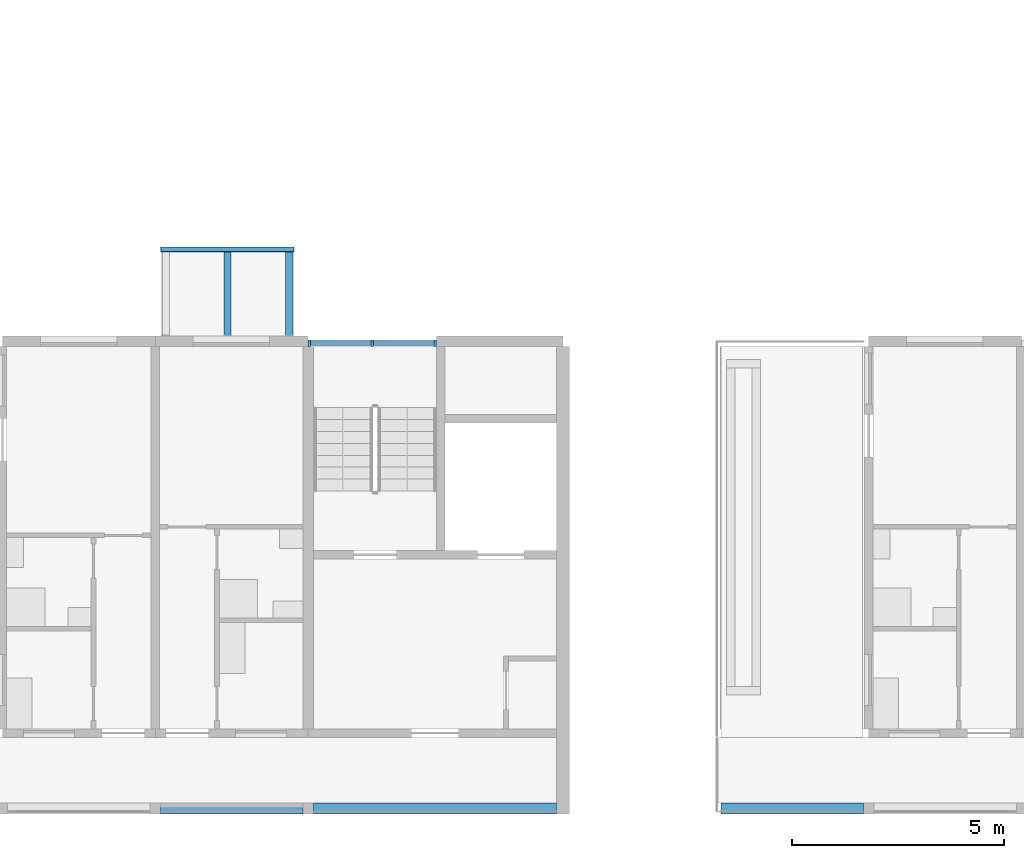
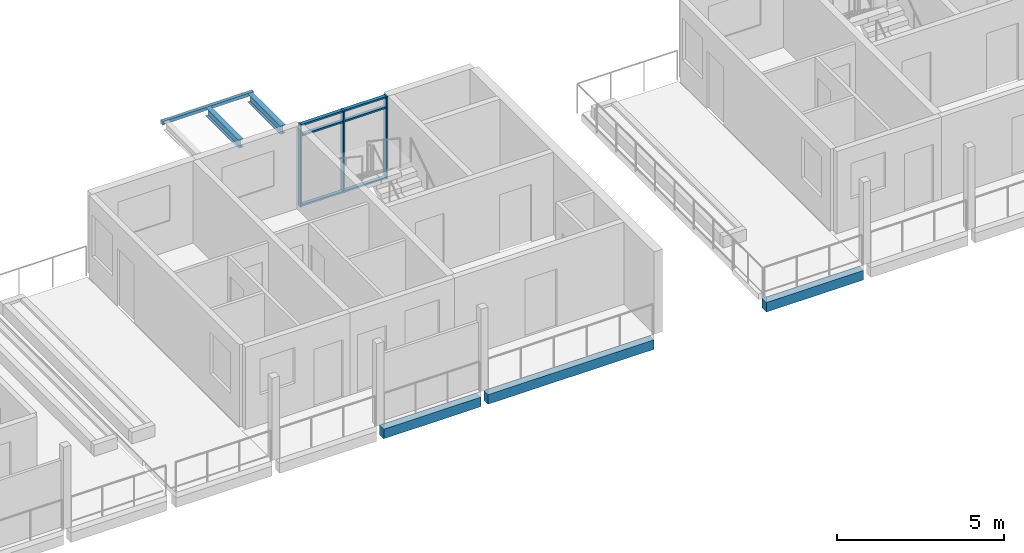
# One storey, part 12 of 55: 9 members, 6 beams, 1 element without a shape of its own.
"""IFC4 building model written with IfcOpenShell, lengths in metres."""

import ifcopenshell
import ifcopenshell.guid

model = None  # the IFC model being written
_history = None  # IfcOwnerHistory: only IFC2X3 demands one
_inside = {}  # id of a spatial element -> (the spatial element, [elements in it])
_under = {}  # id of a project, library or spatial element -> (it, [spatial elements below it])
_declared = {}  # id of a project -> (the project, [libraries it declares])
_typed = {}  # id of a type object -> (the type object, [elements of that type])
_made_of = {}  # id of a material, layer set ... -> (it, [elements and type objects made of it])


def new_model(schema):
    """Start an empty IFC model of exactly this schema.

    Asked for "IFC4X3", IfcOpenShell would pick the latest addendum, in which some entities
    have other attributes; the version numbers below select the first issue.
    IFC2X3 requires an IfcOwnerHistory on every rooted entity: one is made here for all.
    """
    global model, _history
    if schema == "IFC4X3":
        model = ifcopenshell.file(schema_version=(4, 3, 0, 0))
    else:
        model = ifcopenshell.file(schema=schema)
    _inside.clear()
    _under.clear()
    _declared.clear()
    _typed.clear()
    _made_of.clear()
    _history = None
    if model.schema == "IFC2X3":
        org = make("IfcOrganization", Name="unknown")
        user = make(
            "IfcPersonAndOrganization",
            ThePerson=make("IfcPerson", FamilyName="unknown"),
            TheOrganization=org,
        )
        app = make(
            "IfcApplication",
            ApplicationDeveloper=org,
            Version="unknown",
            ApplicationFullName="unknown",
            ApplicationIdentifier="unknown",
        )
        _history = make(
            "IfcOwnerHistory",
            OwningUser=user,
            OwningApplication=app,
            ChangeAction="ADDED",
            CreationDate=0,
        )
    return model


def make(cls, **values):
    """One entity of the class cls with the attributes given. An attribute that is None is left unset."""
    return model.create_entity(
        cls, **{name: value for name, value in values.items() if value is not None}
    )


def rooted(cls, **values):
    """An entity with a GlobalId (a new one), such as an element, a storey or a relation."""
    return make(cls, GlobalId=ifcopenshell.guid.new(), OwnerHistory=_history, **values)


def si_unit(unit_type, name, prefix=None):
    """IfcSIUnit, for example si_unit("LENGTHUNIT", "METRE", prefix="MILLI")."""
    return make("IfcSIUnit", UnitType=unit_type, Prefix=prefix, Name=name)


def assignment(units):
    """IfcUnitAssignment: the units of a project."""
    return None if units is None else make("IfcUnitAssignment", Units=units)


def point(xyz):
    """IfcCartesianPoint."""
    return None if xyz is None else make("IfcCartesianPoint", Coordinates=xyz)


def direction(xyz):
    """IfcDirection."""
    return None if xyz is None else make("IfcDirection", DirectionRatios=xyz)


def frame(location, z_axis=None, x_axis=None):
    """IfcAxis2Placement3D, a coordinate frame: its origin and axes. An axis left out is left unset."""
    return make(
        "IfcAxis2Placement3D",
        Location=point(location),
        Axis=direction(z_axis),
        RefDirection=direction(x_axis),
    )


def frame_2d(location, x_axis=None):
    """IfcAxis2Placement2D, a coordinate frame in the plane: its origin and x axis."""
    return make(
        "IfcAxis2Placement2D", Location=point(location), RefDirection=direction(x_axis)
    )


def origin():
    """The frame at (0, 0, 0) with its axes left unset."""
    return frame((0.0, 0.0, 0.0))


def origin_2d():
    """The frame at (0, 0) in the plane with its x axis left unset."""
    return frame_2d((0.0, 0.0))


def place(relative_to, where):
    """IfcLocalPlacement: puts the frame where relative to a parent placement (None: the world)."""
    return make(
        "IfcLocalPlacement", PlacementRelTo=relative_to, RelativePlacement=where
    )


def context(
    kind, dimensions, precision=None, world=None, true_north=None, identifier=None
):
    """IfcGeometricRepresentationContext, for example the 3D "Model" context."""
    return make(
        "IfcGeometricRepresentationContext",
        ContextIdentifier=identifier,
        ContextType=kind,
        CoordinateSpaceDimension=dimensions,
        Precision=precision,
        WorldCoordinateSystem=world,
        TrueNorth=true_north,
    )


def subcontext(parent, identifier, kind, view, scale=None):
    """IfcGeometricRepresentationSubContext, for example "Body" below "Model"."""
    return make(
        "IfcGeometricRepresentationSubContext",
        ContextIdentifier=identifier,
        ContextType=kind,
        ParentContext=parent,
        TargetScale=scale,
        TargetView=view,
    )


def project(units=None, contexts=None):
    """IfcProject with its units and contexts."""
    return rooted(
        "IfcProject",
        Name="project",
        RepresentationContexts=contexts,
        UnitsInContext=assignment(units),
    )


def spatial(cls, under=None, at=None, **own):
    """A site, building, storey or space (cls), placed at a placement, below another one or the project."""
    s = rooted(cls, ObjectPlacement=at, **own)
    if under is not None:
        _under.setdefault(under.id(), (under, []))[1].append(s)
    return s


def profile(cls, at=None, kind="AREA", **sizes):
    """A parametric profile (cls). Its sizes go by their IFC names, for example OverallWidth=200.0."""
    return make(cls, ProfileType=kind, Position=at, **sizes)


def rectangle(**sizes):
    """IfcRectangleProfileDef."""
    return profile("IfcRectangleProfileDef", **sizes)


def hollow_rectangle(**sizes):
    """IfcRectangleHollowProfileDef."""
    return profile("IfcRectangleHollowProfileDef", **sizes)


def i_section(**sizes):
    """IfcIShapeProfileDef."""
    return profile("IfcIShapeProfileDef", **sizes)


def extrude(swept, where, along, depth):
    """IfcExtrudedAreaSolid: the profile swept, set in the frame where, extruded along a direction by depth."""
    return make(
        "IfcExtrudedAreaSolid",
        SweptArea=swept,
        Position=where,
        ExtrudedDirection=direction(along),
        Depth=depth,
    )


def shape(context_of_items, identifier, shape_type, items):
    """IfcShapeRepresentation: the items that make up one representation, for example the "Body"."""
    return make(
        "IfcShapeRepresentation",
        ContextOfItems=context_of_items,
        RepresentationIdentifier=identifier,
        RepresentationType=shape_type,
        Items=items,
    )


def material(Name=None, Category=None):
    """IfcMaterial."""
    return make("IfcMaterial", Name=Name, Category=Category)


def material_profile(
    of_material, cross_section, Name=None, Category=None, Priority=None
):
    """IfcMaterialProfile: a cross section and its material."""
    return make(
        "IfcMaterialProfile",
        Name=Name,
        Material=of_material,
        Profile=cross_section,
        Priority=Priority,
        Category=Category,
    )


def profile_set(profiles, Name=None, composite=None):
    """IfcMaterialProfileSet."""
    return make(
        "IfcMaterialProfileSet",
        Name=Name,
        MaterialProfiles=profiles,
        CompositeProfile=composite,
    )


def made_of(thing, what):
    """Note that an element or type object is made of a material, layer set ...; save() writes the relation."""
    if what is not None:
        _made_of.setdefault(what.id(), (what, []))[1].append(thing)
    return thing


def type_object(cls, material=None, **own):
    """A type object (cls), such as IfcWallType, which elements share."""
    return made_of(rooted(cls, **own), material)


def element(
    cls,
    number,
    at=None,
    inside=None,
    cuts=None,
    type_object=None,
    material=None,
    context=None,
    identifier="Body",
    shape_type=None,
    held_by="IfcProductDefinitionShape",
    body=None,
    shapes=None,
    **own,
):
    """One element of the class cls, such as IfcWall. Its Tag is "e" and its number.

    at: its placement. inside: the storey or other place that contains it. cuts: it is an
    opening in that element (IfcRelVoidsElement). A single representation is given by context,
    identifier, shape_type and body (its items); several are given by shapes. held_by: the class
    of the entity that holds the representations. save() writes the other relations.
    """
    e = rooted(cls, Tag="e%d" % number, ObjectPlacement=at, **own)
    if body is not None:
        shapes = [shape(context, identifier, shape_type, body)]
    if shapes is not None:
        e.Representation = make(held_by, Representations=shapes)
    if inside is not None:
        _inside.setdefault(inside.id(), (inside, []))[1].append(e)
    if cuts is not None:
        rooted(
            "IfcRelVoidsElement", RelatingBuildingElement=cuts, RelatedOpeningElement=e
        )
    if type_object is not None:
        _typed.setdefault(type_object.id(), (type_object, []))[1].append(e)
    return made_of(e, material)


def aggregate(whole, parts):
    """IfcRelAggregates: a whole, such as a stair, and the parts it consists of."""
    return rooted("IfcRelAggregates", RelatingObject=whole, RelatedObjects=parts)


def save(model, path):
    """Write the relations noted so far, then the file.

    IfcRelAggregates (storeys below a building ...), IfcRelContainedInSpatialStructure (elements
    in a storey), IfcRelDefinesByType, IfcRelAssociatesMaterial and IfcRelDeclares: one each for
    every whole, place, type object, material and project.
    """
    for whole, parts in _under.values():
        aggregate(whole, parts)
    for where, things in _inside.values():
        rooted(
            "IfcRelContainedInSpatialStructure",
            RelatedElements=things,
            RelatingStructure=where,
        )
    for kind, things in _typed.values():
        rooted("IfcRelDefinesByType", RelatedObjects=things, RelatingType=kind)
    for what, things in _made_of.values():
        rooted("IfcRelAssociatesMaterial", RelatedObjects=things, RelatingMaterial=what)
    for by, libraries in _declared.values():
        rooted("IfcRelDeclares", RelatingContext=by, RelatedDefinitions=libraries)
    model.write(path)


model = new_model("IFC4")

# Units and contexts
model_context = context("Model", 3, precision=1e-05, world=origin(), true_north=direction((0.0, 1.0)))
body_context = subcontext(model_context, "Body", "Model", "MODEL_VIEW")
ifc_project = project(units=[si_unit("LENGTHUNIT", "METRE"), si_unit("AREAUNIT", "SQUARE_METRE"), si_unit("VOLUMEUNIT", "CUBIC_METRE"), si_unit("PLANEANGLEUNIT", "RADIAN"), si_unit("MASSUNIT", "GRAM", prefix="KILO")], contexts=[model_context])

# Site, building, storey
site_placement = place(None, origin())
site = spatial("IfcSite", under=ifc_project, at=site_placement, CompositionType="ELEMENT")
building_placement = place(site_placement, origin())
building = spatial("IfcBuilding", under=site, at=building_placement, Name="Ridgestep Commons", CompositionType="ELEMENT")
storey_placement = place(building_placement, frame((0.0, 0.0, 36.0)))
storey = spatial("IfcBuildingStorey", under=building, at=storey_placement, Name="L12", CompositionType="ELEMENT", Elevation=36.0)

# Beams
ifc_material_1 = material(Name="Precast concrete C40/50", Category="concrete")
ifc_material_profile_1 = material_profile(ifc_material_1, rectangle(XDim=0.25, YDim=0.35009765625, at=origin_2d()), Name="PC 250x350")
ifc_profile_set_1 = profile_set([ifc_material_profile_1], Name="Precast concrete C40/50")
beam_type_1 = type_object("IfcBeamType", Name="Loggia edge beam 250 x 350", PredefinedType="SPANDREL", material=ifc_profile_set_1)
beam_1_placement = place(storey_placement, frame((187.72509765625, 11.875, -0.375), z_axis=(1.0, 0.0, 0.0), x_axis=(0.0, 1.0, 0.0)))
element("IfcBeam", 1, at=beam_1_placement, inside=storey, type_object=beam_type_1, Name="Loggia edge beam D3T3 L12", PredefinedType="SPANDREL", context=body_context, shape_type="SweptSolid", body=[
    extrude(rectangle(XDim=0.25, YDim=0.35009765625, at=origin_2d()), origin(), (0.0, 0.0, 1.0), 3.349853515625),
])
beam_2_placement = place(storey_placement, frame((191.324951171875, 11.875, -0.375), z_axis=(1.0, 0.0, 0.0), x_axis=(0.0, 1.0, 0.0)))
element("IfcBeam", 2, at=beam_2_placement, inside=storey, type_object=beam_type_1, Name="Loggia edge beam D3C L12", PredefinedType="SPANDREL", context=body_context, shape_type="SweptSolid", body=[
    extrude(rectangle(XDim=0.25, YDim=0.35009765625, at=origin_2d()), origin(), (0.0, 0.0, 1.0), 5.72509765625),
])
beam_3_placement = place(storey_placement, frame((200.925048828125, 11.875, -0.375), z_axis=(1.0, 0.0, 0.0), x_axis=(0.0, 1.0, 0.0)))
element("IfcBeam", 3, at=beam_3_placement, inside=storey, type_object=beam_type_1, Name="Loggia edge beam D4T2 L12", PredefinedType="SPANDREL", context=body_context, shape_type="SweptSolid", body=[
    extrude(rectangle(XDim=0.25, YDim=0.35009765625, at=origin_2d()), origin(), (0.0, 0.0, 1.0), 3.349853515625),
])

# Curtain wall, members
ifc_material_2 = material(Name="Aluminium 6063-T6 and glass", Category="aluminium")
curtain_wall_type = type_object("IfcCurtainWallType", Name="Curtain wall stair strip", PredefinedType="NOTDEFINED", material=ifc_material_2)
curtain_wall_placement = place(storey_placement, origin())
curtain_wall = element("IfcCurtainWall", 4, at=curtain_wall_placement, inside=storey, type_object=curtain_wall_type, Name="Curtain wall D3C level 12", PredefinedType="NOTDEFINED")
ifc_material_3 = material(Name="Aluminium 6063-T6", Category="aluminium")
ifc_material_profile_2 = material_profile(ifc_material_3, rectangle(XDim=0.159912109375, YDim=0.06005859375, at=origin_2d()), Name="Mullion 60 x 160")
ifc_profile_set_2 = profile_set([ifc_material_profile_2], Name="Aluminium 6063-T6")
member_type_1 = type_object("IfcMemberType", Name="Mullion 60 x 160", PredefinedType="MULLION", material=ifc_profile_set_2)
member_1_placement = place(storey_placement, frame((191.22998046875, 22.830078125, 0.0), z_axis=(0.0, 0.0, 1.0), x_axis=(0.0, 1.0, 0.0)))
member_1 = element("IfcMember", 5, at=member_1_placement, type_object=member_type_1, Name="CW1 mullion 1", PredefinedType="MULLION", context=body_context, shape_type="SweptSolid", body=[
    extrude(rectangle(XDim=0.159912109375, YDim=0.06005859375, at=origin_2d()), origin(), (0.0, 0.0, 1.0), 3.0),
])
member_2_placement = place(storey_placement, frame((192.71240234375, 22.830078125, 0.0), z_axis=(0.0, 0.0, 1.0), x_axis=(0.0, 1.0, 0.0)))
member_2 = element("IfcMember", 6, at=member_2_placement, type_object=member_type_1, Name="CW1 mullion 2", PredefinedType="MULLION", context=body_context, shape_type="SweptSolid", body=[
    extrude(rectangle(XDim=0.159912109375, YDim=0.06005859375, at=origin_2d()), origin(), (0.0, 0.0, 1.0), 3.0),
])
member_3_placement = place(storey_placement, frame((194.195068359375, 22.830078125, 0.0), z_axis=(0.0, 0.0, 1.0), x_axis=(0.0, 1.0, 0.0)))
member_3 = element("IfcMember", 7, at=member_3_placement, type_object=member_type_1, Name="CW1 mullion 3", PredefinedType="MULLION", context=body_context, shape_type="SweptSolid", body=[
    extrude(rectangle(XDim=0.159912109375, YDim=0.06005859375, at=origin_2d()), origin(), (0.0, 0.0, 1.0), 3.0),
])
ifc_material_4 = material(Name="Aluminium 6063-T6", Category="aluminium")
ifc_material_profile_3 = material_profile(ifc_material_4, rectangle(XDim=0.1201171875, YDim=0.06005859375, at=origin_2d()), Name="Transom 60 x 120")
ifc_profile_set_3 = profile_set([ifc_material_profile_3], Name="Aluminium 6063-T6")
member_type_2 = type_object("IfcMemberType", Name="Transom 60 x 120", PredefinedType="USERDEFINED", material=ifc_profile_set_3)
member_4_placement = place(storey_placement, frame((191.260009765625, 22.830078125, 0.030029296875), z_axis=(1.0, 0.0, 0.0), x_axis=(0.0, 1.0, 0.0)))
member_4 = element("IfcMember", 8, at=member_4_placement, type_object=member_type_2, Name="CW1 transom 1.1", ObjectType="TRANSOM", PredefinedType="USERDEFINED", context=body_context, shape_type="SweptSolid", body=[
    extrude(rectangle(XDim=0.1201171875, YDim=0.06005859375, at=origin_2d()), origin(), (0.0, 0.0, 1.0), 1.422607421875),
])
member_5_placement = place(storey_placement, frame((191.260009765625, 22.830078125, 2.590087890625), z_axis=(1.0, 0.0, 0.0), x_axis=(0.0, 1.0, 0.0)))
member_5 = element("IfcMember", 9, at=member_5_placement, type_object=member_type_2, Name="CW1 transom 1.2", ObjectType="TRANSOM", PredefinedType="USERDEFINED", context=body_context, shape_type="SweptSolid", body=[
    extrude(rectangle(XDim=0.1201171875, YDim=0.06005859375, at=origin_2d()), origin(), (0.0, 0.0, 1.0), 1.422607421875),
])
member_6_placement = place(storey_placement, frame((191.260009765625, 22.830078125, 2.969970703125), z_axis=(1.0, 0.0, 0.0), x_axis=(0.0, 1.0, 0.0)))
member_6 = element("IfcMember", 10, at=member_6_placement, type_object=member_type_2, Name="CW1 transom 1.3", ObjectType="TRANSOM", PredefinedType="USERDEFINED", context=body_context, shape_type="SweptSolid", body=[
    extrude(rectangle(XDim=0.1201171875, YDim=0.06005859375, at=origin_2d()), origin(), (0.0, 0.0, 1.0), 1.422607421875),
])
member_7_placement = place(storey_placement, frame((192.742431640625, 22.830078125, 0.030029296875), z_axis=(1.0, 0.0, 0.0), x_axis=(0.0, 1.0, 0.0)))
member_7 = element("IfcMember", 11, at=member_7_placement, type_object=member_type_2, Name="CW1 transom 2.1", ObjectType="TRANSOM", PredefinedType="USERDEFINED", context=body_context, shape_type="SweptSolid", body=[
    extrude(rectangle(XDim=0.1201171875, YDim=0.06005859375, at=origin_2d()), origin(), (0.0, 0.0, 1.0), 1.422607421875),
])
member_8_placement = place(storey_placement, frame((192.742431640625, 22.830078125, 2.590087890625), z_axis=(1.0, 0.0, 0.0), x_axis=(0.0, 1.0, 0.0)))
member_8 = element("IfcMember", 12, at=member_8_placement, type_object=member_type_2, Name="CW1 transom 2.2", ObjectType="TRANSOM", PredefinedType="USERDEFINED", context=body_context, shape_type="SweptSolid", body=[
    extrude(rectangle(XDim=0.1201171875, YDim=0.06005859375, at=origin_2d()), origin(), (0.0, 0.0, 1.0), 1.422607421875),
])
member_9_placement = place(storey_placement, frame((192.742431640625, 22.830078125, 2.969970703125), z_axis=(1.0, 0.0, 0.0), x_axis=(0.0, 1.0, 0.0)))
member_9 = element("IfcMember", 13, at=member_9_placement, type_object=member_type_2, Name="CW1 transom 2.3", ObjectType="TRANSOM", PredefinedType="USERDEFINED", context=body_context, shape_type="SweptSolid", body=[
    extrude(rectangle(XDim=0.1201171875, YDim=0.06005859375, at=origin_2d()), origin(), (0.0, 0.0, 1.0), 1.422607421875),
])
aggregate(curtain_wall, [member_1, member_2, member_3, member_4, member_5, member_6, member_7, member_8, member_9])

# Beams
ifc_material_5 = material(Name="Weathering steel S355J2W", Category="steel")
ifc_material_profile_4 = material_profile(ifc_material_5, i_section(OverallWidth=0.1650390625, OverallDepth=0.303466796875, WebThickness=0.006103515625, FlangeThickness=0.01025390625, FilletRadius=0.0087890625, at=origin_2d()), Name="UB 305x165x40")
ifc_profile_set_4 = profile_set([ifc_material_profile_4], Name="Weathering steel S355J2W")
beam_type_2 = type_object("IfcBeamType", Name="Tray arm UB 305x165x40", PredefinedType="BEAM", material=ifc_profile_set_4)
for number, where, z_axis, x_axis, name in (
    (14, (189.300048828125, 23.014892578125, 2.83837890625), (0.0, 1.0, 0.0), (-1.0, 0.0, 0.0), "Tray arm D3T3-13.2"),
    (15, (190.75, 23.014892578125, 2.83837890625), (0.0, 1.0, 0.0), (-1.0, 0.0, 0.0), "Tray arm D3T3-13.3"),
):
    element("IfcBeam", number, at=place(storey_placement, frame(where, z_axis=z_axis, x_axis=x_axis)), inside=storey, type_object=beam_type_2, Name=name, PredefinedType="BEAM", context=body_context, shape_type="SweptSolid", body=[
        extrude(i_section(OverallWidth=0.1650390625, OverallDepth=0.303466796875, WebThickness=0.006103515625, FlangeThickness=0.01025390625, FilletRadius=0.0087890625, at=origin_2d()), origin(), (0.0, 0.0, 1.0), 1.965087890625),
    ])
ifc_material_6 = material(Name="Weathering steel S355J2W", Category="steel")
ifc_material_profile_5 = material_profile(ifc_material_6, hollow_rectangle(XDim=0.1201171875, YDim=0.1201171875, WallThickness=0.00634765625, InnerFilletRadius=0.00634765625, OuterFilletRadius=0.009521484375, at=origin_2d()), Name="SHS 120x120x6.3")
ifc_profile_set_5 = profile_set([ifc_material_profile_5], Name="Weathering steel S355J2W")
beam_type_3 = type_object("IfcBeamType", Name="Tray edge member SHS 120x120x6.3", PredefinedType="BEAM", material=ifc_profile_set_5)
beam_4_placement = place(storey_placement, frame((187.72998046875, 25.0400390625, 2.929931640625), z_axis=(1.0, 0.0, 0.0), x_axis=(0.0, 0.0, 1.0)))
element("IfcBeam", 16, at=beam_4_placement, inside=storey, type_object=beam_type_3, Name="Tray edge member D3T3-13", PredefinedType="BEAM", context=body_context, shape_type="SweptSolid", body=[
    extrude(hollow_rectangle(XDim=0.1201171875, YDim=0.1201171875, WallThickness=0.00634765625, InnerFilletRadius=0.00634765625, OuterFilletRadius=0.009521484375, at=origin_2d()), origin(), (0.0, 0.0, 1.0), 3.14013671875),
])

save(model, "model.ifc")
